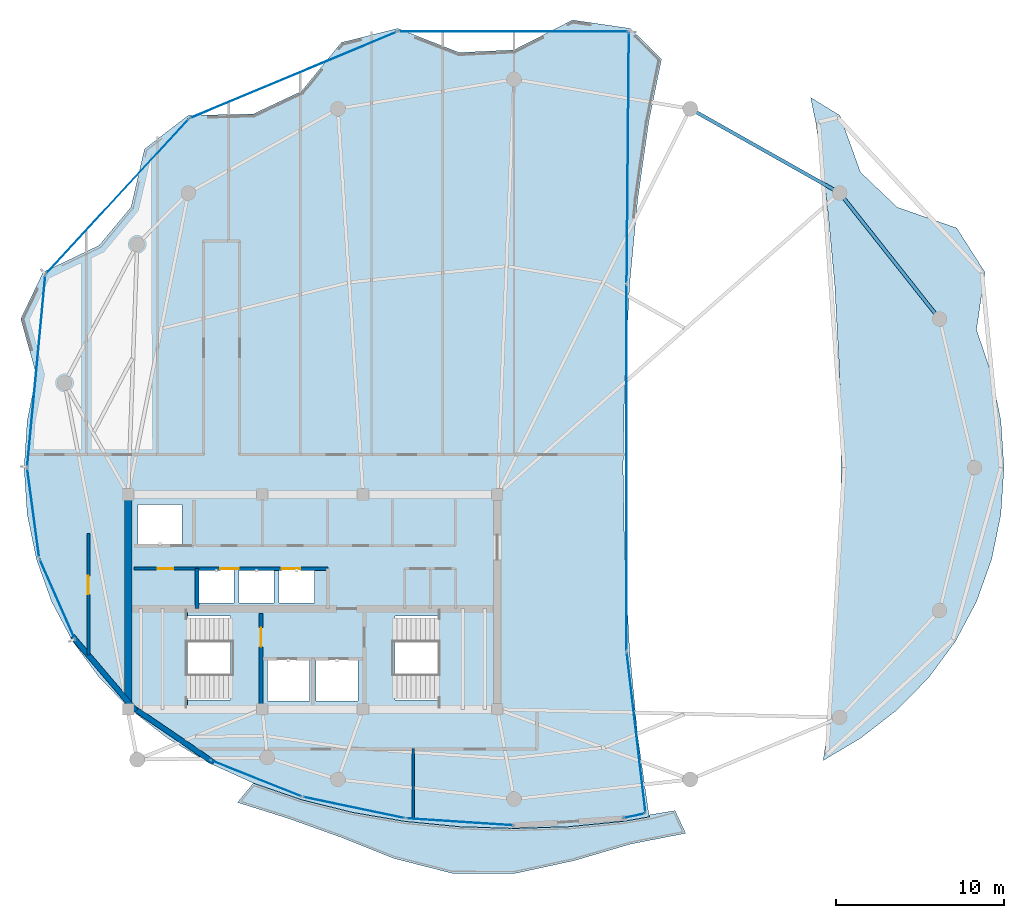
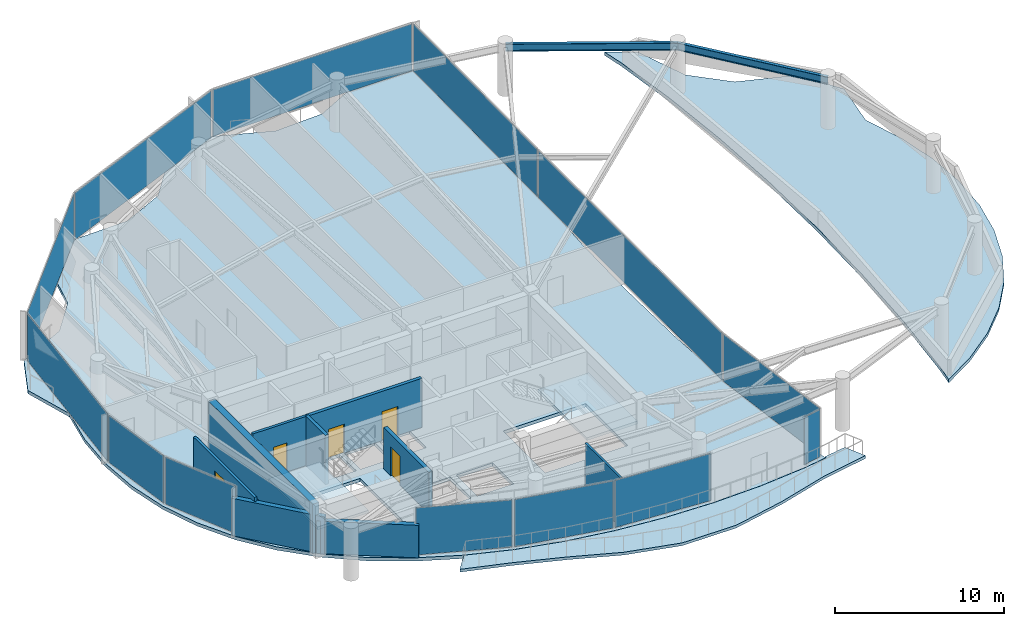
# One storey, part 17 of 22: 13 plates, 9 walls, 5 doors, 5 slabs, 2 beams, 5 openings, 15 elements without a shape of their own.
"""IFC4 building model written with IfcOpenShell, lengths in metres."""

from ifc_helpers import new_model, si_unit, direction, frame, frame_2d, origin, origin_2d, place, context, subcontext, project, spatial, polyline, rectangle, i_section, outline, extrude, material, layer, layer_set, material_profile, profile_set, type_object, element, fill, aggregate, save


model = new_model("IFC4")

# Units and contexts
model_context = context("Model", 3, precision=1e-05, world=origin(), true_north=direction((0.0, 1.0)))
body_context = subcontext(model_context, "Body", "Model", "MODEL_VIEW")
ifc_project = project(units=[si_unit("LENGTHUNIT", "METRE"), si_unit("AREAUNIT", "SQUARE_METRE"), si_unit("VOLUMEUNIT", "CUBIC_METRE"), si_unit("PLANEANGLEUNIT", "RADIAN"), si_unit("MASSUNIT", "GRAM", prefix="KILO")], contexts=[model_context])

# Site, building, storey
site_placement = place(None, origin())
site = spatial("IfcSite", under=ifc_project, at=site_placement, CompositionType="ELEMENT")
building_placement = place(site_placement, origin())
building = spatial("IfcBuilding", under=site, at=building_placement, Name="Kazevale Care Tower and Concert Hall", CompositionType="ELEMENT")
storey_placement = place(building_placement, frame((0.0, 0.0, 273.800048828125)))
storey = spatial("IfcBuildingStorey", under=building, at=storey_placement, Name="L72", CompositionType="ELEMENT", Elevation=273.800048828125)

# Beams
ifc_material_1 = material(Name="Steel ASTM A572 Gr 50", Category="steel")
ifc_material_profile = material_profile(ifc_material_1, i_section(OverallWidth=0.208984375, OverallDepth=0.532958984375, WebThickness=0.01025390625, FlangeThickness=0.015625, at=origin_2d()), Name="W530x92")
ifc_profile_set = profile_set([ifc_material_profile], Name="Steel ASTM A572 Gr 50")
beam_type = type_object("IfcBeamType", Name="Upper Ring Beam W530x92", PredefinedType="BEAM", material=ifc_profile_set)
beam_1_placement = place(storey_placement, frame((70.360107421875, 46.860107421875, 3.29345703125), z_axis=(-0.621008988522, 0.783803442308, 0.0), x_axis=(-0.783803442308, -0.621008988522, 0.0)))
element("IfcBeam", 1, at=beam_1_placement, inside=storey, type_object=beam_type, Name="beam:L72:ring:02", PredefinedType="BEAM", context=body_context, shape_type="SweptSolid", body=[
    extrude(i_section(OverallWidth=0.208984375, OverallDepth=0.532958984375, WebThickness=0.01025390625, FlangeThickness=0.015625, at=origin_2d()), origin(), (0.0, 0.0, 1.0), 9.58154296875),
])
beam_2_placement = place(storey_placement, frame((64.409912109375, 54.3701171875, 3.29345703125), z_axis=(-0.871243170179, 0.490851646035, 0.0), x_axis=(-0.490851646035, -0.871243170179, 0.0)))
element("IfcBeam", 2, at=beam_2_placement, inside=storey, type_object=beam_type, Name="beam:L72:ring:03", PredefinedType="BEAM", context=body_context, shape_type="SweptSolid", body=[
    extrude(i_section(OverallWidth=0.208984375, OverallDepth=0.532958984375, WebThickness=0.01025390625, FlangeThickness=0.015625, at=origin_2d()), origin(), (0.0, 0.0, 1.0), 10.2265625),
])

# Curtain wall, plate
ifc_material_2 = material(Name="Aluminium 6063-T6 and Low-E Glass", Category="aluminium")
ifc_layer_1 = layer(ifc_material_2, 0.179931640625)
ifc_layer_set_1 = layer_set([ifc_layer_1], Name="Aluminium 6063-T6 and Low-E Glass")
curtain_wall_type_1 = type_object("IfcCurtainWallType", Name="Waist & Upper Residential Curtain Wall CW-4", PredefinedType="NOTDEFINED", material=ifc_layer_set_1)
curtain_wall_1_placement = place(storey_placement, origin())
curtain_wall_1 = element("IfcCurtainWall", 3, at=curtain_wall_1_placement, inside=storey, type_object=curtain_wall_type_1, Name="cw:L72:f07", PredefinedType="NOTDEFINED")
ifc_material_3 = material(Name="Low-E Laminated Glass", Category="glass")
ifc_layer_2 = layer(ifc_material_3, 0.030029296875)
ifc_layer_set_2 = layer_set([ifc_layer_2], Name="Low-E Laminated Glass")
plate_type_1 = type_object("IfcPlateType", Name="CW-4 Low-E Glazing Panel 30mm", PredefinedType="CURTAIN_PANEL", material=ifc_layer_set_2)
plate_1_placement = place(storey_placement, frame((17.775390625, 30.175537109375, 0.080078125), z_axis=(0.0, 0.0, 1.0), x_axis=(-0.403598397488, 0.914936245618, 0.0)))
plate_1 = element("IfcPlate", 4, at=plate_1_placement, type_object=plate_type_1, Name="CW-4 panel 1.1", PredefinedType="CURTAIN_PANEL", context=body_context, shape_type="SweptSolid", body=[
    extrude(rectangle(XDim=5.139892578125, YDim=0.030029296875, at=origin_2d()), origin(), (0.0, 0.0, 1.0), 3.39990234375),
])
aggregate(curtain_wall_1, [plate_1])

curtain_wall_2_placement = place(storey_placement, origin())
curtain_wall_2 = element("IfcCurtainWall", 5, at=curtain_wall_2_placement, inside=storey, type_object=curtain_wall_type_1, Name="cw:L72:f08", PredefinedType="NOTDEFINED")
plate_2_placement = place(storey_placement, frame((16.343017578125, 35.300048828125, 0.080078125), z_axis=(0.0, 0.0, 1.0), x_axis=(-0.133245609751, 0.991083047722, 0.0)))
plate_2 = element("IfcPlate", 6, at=plate_2_placement, type_object=plate_type_1, Name="CW-4 panel 1.1", PredefinedType="CURTAIN_PANEL", context=body_context, shape_type="SweptSolid", body=[
    extrude(rectangle(XDim=5.28857421875, YDim=0.030029296875, at=origin_2d()), origin(), (0.0, 0.0, 1.0), 3.39990234375),
])
aggregate(curtain_wall_2, [plate_2])

curtain_wall_3_placement = place(storey_placement, origin())
curtain_wall_3 = element("IfcCurtainWall", 7, at=curtain_wall_3_placement, inside=storey, type_object=curtain_wall_type_1, Name="cw:L72:f09", PredefinedType="NOTDEFINED")
plate_3_placement = place(storey_placement, frame((16.52490234375, 43.757568359375, 0.080078125), z_axis=(0.0, 0.0, 1.0), x_axis=(0.094237879477, 0.995549708489, 0.0)))
plate_3 = element("IfcPlate", 8, at=plate_3_placement, type_object=plate_type_1, Name="CW-4 panel 1.1", PredefinedType="CURTAIN_PANEL", context=body_context, shape_type="SweptSolid", body=[
    extrude(rectangle(XDim=11.406494140625, YDim=0.030029296875, at=origin_2d()), origin(), (0.0, 0.0, 1.0), 3.39990234375),
])
aggregate(curtain_wall_3, [plate_3])

curtain_wall_4_placement = place(storey_placement, origin())
curtain_wall_4 = element("IfcCurtainWall", 9, at=curtain_wall_4_placement, inside=storey, type_object=curtain_wall_type_1, Name="cw:L72:f10", PredefinedType="NOTDEFINED")
plate_4_placement = place(storey_placement, frame((21.35546875, 54.16455078125, 0.080078125), z_axis=(0.0, 0.0, 1.0), x_axis=(0.677738025563, 0.735303453484, 0.0)))
plate_4 = element("IfcPlate", 10, at=plate_4_placement, type_object=plate_type_1, Name="CW-4 panel 1.1", PredefinedType="CURTAIN_PANEL", context=body_context, shape_type="SweptSolid", body=[
    extrude(rectangle(XDim=12.486572265625, YDim=0.030029296875, at=origin_2d()), origin(), (0.0, 0.0, 1.0), 3.39990234375),
])
aggregate(curtain_wall_4, [plate_4])

curtain_wall_5_placement = place(storey_placement, origin())
curtain_wall_5 = element("IfcCurtainWall", 11, at=curtain_wall_5_placement, inside=storey, type_object=curtain_wall_type_1, Name="cw:L72:f11", PredefinedType="NOTDEFINED")
plate_5_placement = place(storey_placement, frame((31.848388671875, 61.40087890625, 0.080078125), z_axis=(0.0, 0.0, 1.0), x_axis=(0.923048324588, 0.384684013802, 0.0)))
plate_5 = element("IfcPlate", 12, at=plate_5_placement, type_object=plate_type_1, Name="CW-4 panel 1.1", PredefinedType="CURTAIN_PANEL", context=body_context, shape_type="SweptSolid", body=[
    extrude(rectangle(XDim=13.2900390625, YDim=0.030029296875, at=origin_2d()), origin(), (0.0, 0.0, 1.0), 3.39990234375),
])
aggregate(curtain_wall_5, [plate_5])

curtain_wall_6_placement = place(storey_placement, origin())
curtain_wall_6 = element("IfcCurtainWall", 13, at=curtain_wall_6_placement, inside=storey, type_object=curtain_wall_type_1, Name="cw:L72:f12", PredefinedType="NOTDEFINED")
plate_6_placement = place(storey_placement, frame((44.951416015625, 63.99755859375, 0.080078125), z_axis=(0.0, 0.0, 1.0), x_axis=(0.999999050959, 0.001377708789, 0.0)))
plate_6 = element("IfcPlate", 14, at=plate_6_placement, type_object=plate_type_1, Name="CW-4 panel 1.1", PredefinedType="CURTAIN_PANEL", context=body_context, shape_type="SweptSolid", body=[
    extrude(rectangle(XDim=13.631103515625, YDim=0.030029296875, at=origin_2d()), origin(), (0.0, 0.0, 1.0), 3.39990234375),
])
aggregate(curtain_wall_6, [plate_6])

curtain_wall_7_placement = place(storey_placement, origin())
curtain_wall_7 = element("IfcCurtainWall", 15, at=curtain_wall_7_placement, inside=storey, type_object=curtain_wall_type_1, Name="cw:L72:f13", PredefinedType="NOTDEFINED")
plate_7_placement = place(storey_placement, frame((51.779541015625, 56.482421875, 0.080078125), z_axis=(0.0, 0.0, 1.0), x_axis=(-0.008970334801, -0.999959765737, 0.0)))
plate_7 = element("IfcPlate", 16, at=plate_7_placement, type_object=plate_type_1, Name="CW-4 panel 1.1", PredefinedType="CURTAIN_PANEL", context=body_context, shape_type="SweptSolid", body=[
    extrude(rectangle(XDim=14.8896484375, YDim=0.030029296875, at=origin_2d()), origin(), (0.0, 0.0, 1.0), 3.39990234375),
])
aggregate(curtain_wall_7, [plate_7])

curtain_wall_8_placement = place(storey_placement, origin())
curtain_wall_8 = element("IfcCurtainWall", 17, at=curtain_wall_8_placement, inside=storey, type_object=curtain_wall_type_1, Name="cw:L72:f14", PredefinedType="NOTDEFINED")
plate_8_placement = place(storey_placement, frame((51.7119140625, 38.0, 0.080078125), z_axis=(0.0, 0.0, 1.0), x_axis=(0.0, -1.0, 0.0)))
plate_8 = element("IfcPlate", 18, at=plate_8_placement, type_object=plate_type_1, Name="CW-4 panel 1.1", PredefinedType="CURTAIN_PANEL", context=body_context, shape_type="SweptSolid", body=[
    extrude(rectangle(XDim=21.756103515625, YDim=0.030029296875, at=origin_2d()), origin(), (0.0, 0.0, 1.0), 3.39990234375),
])
aggregate(curtain_wall_8, [plate_8])

ifc_layer_3 = layer(ifc_material_2, 0.179931640625)
ifc_layer_set_3 = layer_set([ifc_layer_3], Name="Aluminium 6063-T6 and Low-E Glass")
curtain_wall_type_2 = type_object("IfcCurtainWallType", Name="Sheltered Concave Balcony Curtain Wall CW-5", PredefinedType="NOTDEFINED", material=ifc_layer_set_3)
curtain_wall_9_placement = place(storey_placement, origin())
curtain_wall_9 = element("IfcCurtainWall", 19, at=curtain_wall_9_placement, inside=storey, type_object=curtain_wall_type_2, Name="cw:L72:f02", PredefinedType="NOTDEFINED")
ifc_layer_4 = layer(ifc_material_3, 0.02587890625)
ifc_layer_set_4 = layer_set([ifc_layer_4], Name="Low-E Laminated Glass")
plate_type_2 = type_object("IfcPlateType", Name="CW-5 Low-E Glazing Panel 26mm", PredefinedType="CURTAIN_PANEL", material=ifc_layer_set_4)
plate_9_placement = place(storey_placement, frame((41.762939453125, 16.89111328125, 0.0751953125), z_axis=(0.0, 0.0, 1.0), x_axis=(-0.997882281458, 0.065045771206, 0.0)))
plate_9 = element("IfcPlate", 20, at=plate_9_placement, type_object=plate_type_2, Name="CW-5 panel 1.1", PredefinedType="CURTAIN_PANEL", context=body_context, shape_type="SweptSolid", body=[
    extrude(rectangle(XDim=6.337646484375, YDim=0.02587890625, at=origin_2d()), origin(), (0.0, 0.0, 1.0), 3.409912109375),
])
aggregate(curtain_wall_9, [plate_9])

curtain_wall_10_placement = place(storey_placement, origin())
curtain_wall_10 = element("IfcCurtainWall", 21, at=curtain_wall_10_placement, inside=storey, type_object=curtain_wall_type_2, Name="cw:L72:f03", PredefinedType="NOTDEFINED")
plate_10_placement = place(storey_placement, frame((35.4541015625, 17.743896484375, 0.0751953125), z_axis=(0.0, 0.0, 1.0), x_axis=(-0.978852986472, 0.204564979592, 0.0)))
plate_10 = element("IfcPlate", 22, at=plate_10_placement, type_object=plate_type_2, Name="CW-5 panel 1.1", PredefinedType="CURTAIN_PANEL", context=body_context, shape_type="SweptSolid", body=[
    extrude(rectangle(XDim=6.126708984375, YDim=0.02587890625, at=origin_2d()), origin(), (0.0, 0.0, 1.0), 3.409912109375),
])
aggregate(curtain_wall_10, [plate_10])

curtain_wall_11_placement = place(storey_placement, origin())
curtain_wall_11 = element("IfcCurtainWall", 23, at=curtain_wall_11_placement, inside=storey, type_object=curtain_wall_type_2, Name="cw:L72:f04", PredefinedType="NOTDEFINED")
plate_11_placement = place(storey_placement, frame((29.6298828125, 19.48046875, 0.0751953125), z_axis=(0.0, 0.0, 1.0), x_axis=(-0.929208392028, 0.369556171894, 0.0)))
plate_11 = element("IfcPlate", 24, at=plate_11_placement, type_object=plate_type_2, Name="CW-5 panel 1.1", PredefinedType="CURTAIN_PANEL", context=body_context, shape_type="SweptSolid", body=[
    extrude(rectangle(XDim=5.7734375, YDim=0.02587890625, at=origin_2d()), origin(), (0.0, 0.0, 1.0), 3.409912109375),
])
aggregate(curtain_wall_11, [plate_11])

curtain_wall_12_placement = place(storey_placement, origin())
curtain_wall_12 = element("IfcCurtainWall", 25, at=curtain_wall_12_placement, inside=storey, type_object=curtain_wall_type_2, Name="cw:L72:f15", PredefinedType="NOTDEFINED")
plate_12_placement = place(storey_placement, frame((52.277587890625, 22.220947265625, 0.0751953125), z_axis=(0.0, 0.0, 1.0), x_axis=(0.116500580295, -0.993190623592, 0.0)))
plate_12 = element("IfcPlate", 26, at=plate_12_placement, type_object=plate_type_2, Name="CW-5 panel 1.1", PredefinedType="CURTAIN_PANEL", context=body_context, shape_type="SweptSolid", body=[
    extrude(rectangle(XDim=9.55810546875, YDim=0.02587890625, at=origin_2d()), origin(), (0.0, 0.0, 1.0), 3.409912109375),
])
aggregate(curtain_wall_12, [plate_12])

curtain_wall_13_placement = place(storey_placement, origin())
curtain_wall_13 = element("IfcCurtainWall", 27, at=curtain_wall_13_placement, inside=storey, type_object=curtain_wall_type_2, Name="cw:L72:f16", PredefinedType="NOTDEFINED")
plate_13_placement = place(storey_placement, frame((52.158447265625, 17.2509765625, 0.0751953125), z_axis=(0.0, 0.0, 1.0), x_axis=(-0.977118351767, -0.212696324933, 0.0)))
plate_13 = element("IfcPlate", 28, at=plate_13_placement, type_object=plate_type_2, Name="CW-5 panel 1.1", PredefinedType="CURTAIN_PANEL", context=body_context, shape_type="SweptSolid", body=[
    extrude(rectangle(XDim=1.2509765625, YDim=0.02587890625, at=origin_2d()), origin(), (0.0, 0.0, 1.0), 3.409912109375),
])
aggregate(curtain_wall_13, [plate_13])

# Slab
ifc_material_4 = material(Name="Concrete C40", Category="concrete")
ifc_layer_5 = layer(ifc_material_4, 0.199951171875)
ifc_layer_set_5 = layer_set([ifc_layer_5], Name="Concrete C40")
slab_type_1 = type_object("IfcSlabType", Name="Sinusoidal Concave Balcony Slab 200", PredefinedType="USERDEFINED", material=ifc_layer_set_5)
slab_1_placement = place(storey_placement, frame((0.0, 0.0, -0.199951171875)))
element("IfcSlab", 29, at=slab_1_placement, inside=storey, type_object=slab_type_1, Name="slab:L72:bal", ObjectType="BALCONY", PredefinedType="USERDEFINED", context=body_context, shape_type="SweptSolid", body=[
    extrude(outline(polyline([(54.593017578125, 17.56591796875), (55.23046875, 16.208251953125), (51.91748046875, 15.561279296875), (48.5791015625, 14.57958984375), (45.0, 13.807373046875), (41.305908203125, 13.82568359375), (37.822509765625, 14.717529296875), (34.662353515625, 15.979736328125), (31.6025390625, 17.07568359375), (28.51611328125, 18.04931640625), (29.46142578125, 19.193115234375), (29.462890625, 19.192626953125), (32.3291015625, 18.208251953125), (35.35498046875, 17.452392578125), (38.501708984375, 16.918212890625), (41.730224609375, 16.6005859375), (45.0, 16.4951171875), (48.269775390625, 16.6005859375), (51.498291015625, 16.918212890625), (53.075439453125, 17.185791015625), (53.05126953125, 17.305908203125), (54.593017578125, 17.56591796875)])), origin(), (0.0, 0.0, 1.0), 0.199951171875),
])

# Stair, slab
stair_type = type_object("IfcStairType", Name="Exit Stair Assembly ST1-U", PredefinedType="HALF_TURN_STAIR", material=ifc_material_4)
stair_1_placement = place(storey_placement, origin())
stair_1 = element("IfcStair", 30, at=stair_1_placement, inside=storey, type_object=stair_type, Name="stair:L72:ST1", PredefinedType="HALF_TURN_STAIR")
ifc_layer_6 = layer(ifc_material_4, 0.199951171875)
ifc_layer_set_6 = layer_set([ifc_layer_6], Name="Concrete C40")
slab_type_2 = type_object("IfcSlabType", Name="Stair Half-Landing Slab ST1-U", PredefinedType="LANDING", material=ifc_layer_set_6)
slab_2_placement = place(storey_placement, frame((0.0, 0.0, 1.699951171875)))
slab_2 = element("IfcSlab", 31, at=slab_2_placement, type_object=slab_type_2, Name="ST1-U landing 1", PredefinedType="LANDING", context=body_context, shape_type="SweptSolid", body=[
    extrude(outline(polyline([(22.050048828125, 23.699951171875), (25.530029296875, 23.699951171875), (25.530029296875, 29.5), (22.050048828125, 29.5), (22.050048828125, 23.699951171875)])), origin(), (0.0, 0.0, 1.0), 0.199951171875),
])
aggregate(stair_1, [slab_2])

stair_2_placement = place(storey_placement, origin())
stair_2 = element("IfcStair", 32, at=stair_2_placement, inside=storey, type_object=stair_type, Name="stair:L72:ST2", PredefinedType="HALF_TURN_STAIR")
slab_3_placement = place(storey_placement, frame((0.0, 0.0, 1.699951171875)))
slab_3 = element("IfcSlab", 33, at=slab_3_placement, type_object=slab_type_2, Name="ST1-U landing 1", PredefinedType="LANDING", context=body_context, shape_type="SweptSolid", body=[
    extrude(outline(polyline([(40.469970703125, 23.699951171875), (43.949951171875, 23.699951171875), (43.949951171875, 29.5), (40.469970703125, 29.5), (40.469970703125, 23.699951171875)])), origin(), (0.0, 0.0, 1.0), 0.199951171875),
])
aggregate(stair_2, [slab_3])

# Slabs
ifc_layer_7 = layer(ifc_material_4, 0.239990234375)
ifc_layer_set_7 = layer_set([ifc_layer_7], Name="Concrete C40")
slab_type_3 = type_object("IfcSlabType", Name="Tower Typical Floor Slab 240", PredefinedType="FLOOR", material=ifc_layer_set_7)
slab_4_placement = place(storey_placement, frame((0.0, 0.0, -0.239990234375)))
element("IfcSlab", 34, at=slab_4_placement, inside=storey, type_object=slab_type_3, Name="slab:L72:tw:1", PredefinedType="FLOOR", context=body_context, shape_type="SweptSolid", body=[
    extrude(outline(polyline([(51.49755859375, 16.92333984375), (48.269287109375, 16.60546875), (45.0, 16.5), (41.730712890625, 16.60546875), (38.50244140625, 16.92333984375), (35.35595703125, 17.457275390625), (32.33056640625, 18.212890625), (29.464599609375, 19.197265625), (26.794189453125, 20.415771484375), (24.3525390625, 21.873046875), (22.17041015625, 23.569091796875), (20.275634765625, 25.5), (18.691650390625, 27.654541015625), (17.438720703125, 30.01416015625), (16.531982421875, 32.551513671875), (15.983642578125, 35.229736328125), (15.800048828125, 38.0), (15.983642578125, 40.787841796875), (16.531982421875, 43.540771484375), (15.597900390625, 46.867919921875), (16.934814453125, 49.64990234375), (20.275634765625, 51.24755859375), (22.17041015625, 53.52490234375), (22.9736328125, 56.98583984375), (25.578369140625, 58.9921875), (29.464599609375, 59.08349609375), (32.33056640625, 60.43408203125), (34.7119140625, 63.34326171875), (38.068603515625, 64.1767578125), (41.730712890625, 62.743408203125), (45.0, 62.89990234375), (48.48779296875, 64.68115234375), (51.931396484375, 64.1767578125), (53.7880859375, 62.3466796875), (53.020751953125, 58.569091796875), (52.370849609375, 54.0), (51.89208984375, 48.944580078125), (51.5986328125, 43.556640625), (51.5, 38.0), (51.5986328125, 32.443359375), (51.89208984375, 27.055419921875), (52.370849609375, 22.0), (53.020751953125, 17.430908203125), (53.069580078125, 17.18994140625), (51.49755859375, 16.92333984375)]), holes=[polyline([(22.449951171875, 24.14990234375), (28.110107421875, 24.14990234375), (28.110107421875, 29.14990234375), (22.449951171875, 29.14990234375), (22.449951171875, 24.14990234375)]), polyline([(37.889892578125, 24.14990234375), (43.550048828125, 24.14990234375), (43.550048828125, 29.14990234375), (37.889892578125, 29.14990234375), (37.889892578125, 24.14990234375)]), polyline([(30.300048828125, 24.10009765625), (32.800048828125, 24.10009765625), (32.800048828125, 26.60009765625), (30.300048828125, 26.60009765625), (30.300048828125, 24.10009765625)]), polyline([(33.199951171875, 24.10009765625), (35.699951171875, 24.10009765625), (35.699951171875, 26.60009765625), (33.199951171875, 26.60009765625), (33.199951171875, 24.10009765625)]), polyline([(22.60009765625, 33.39990234375), (25.199951171875, 33.39990234375), (25.199951171875, 35.800048828125), (22.60009765625, 35.800048828125), (22.60009765625, 33.39990234375)]), polyline([(26.199951171875, 29.949951171875), (28.300048828125, 29.949951171875), (28.300048828125, 31.949951171875), (26.199951171875, 31.949951171875), (26.199951171875, 29.949951171875)]), polyline([(28.60009765625, 29.949951171875), (30.699951171875, 29.949951171875), (30.699951171875, 31.949951171875), (28.60009765625, 31.949951171875), (28.60009765625, 29.949951171875)]), polyline([(31.0, 29.949951171875), (33.10009765625, 29.949951171875), (33.10009765625, 31.949951171875), (31.0, 31.949951171875), (31.0, 29.949951171875)])]), origin(), (0.0, 0.0, 1.0), 0.239990234375),
])
slab_5_placement = place(storey_placement, frame((0.0, 0.0, -0.239990234375)))
element("IfcSlab", 35, at=slab_5_placement, inside=storey, type_object=slab_type_3, Name="slab:L72:tw:2", PredefinedType="FLOOR", context=body_context, shape_type="SweptSolid", body=[
    extrude(outline(polyline([(64.421630859375, 58.9921875), (65.6474609375, 55.60693359375), (67.82958984375, 53.52490234375), (71.37548828125, 52.28515625), (73.065185546875, 49.64990234375), (72.561279296875, 46.223876953125), (73.468017578125, 43.540771484375), (74.016357421875, 40.787841796875), (74.199951171875, 38.0), (74.016357421875, 35.229736328125), (73.468017578125, 32.551513671875), (72.561279296875, 30.01416015625), (71.308349609375, 27.654541015625), (69.724365234375, 25.5), (67.82958984375, 23.569091796875), (65.6474609375, 21.873046875), (63.422119140625, 20.544921875), (63.629150390625, 22.0), (64.10791015625, 27.055419921875), (64.4013671875, 32.443359375), (64.5, 38.0), (64.4013671875, 43.556640625), (64.10791015625, 48.944580078125), (63.629150390625, 54.0), (62.979248046875, 58.569091796875), (62.676513671875, 60.0595703125), (64.421630859375, 58.9921875)])), origin(), (0.0, 0.0, 1.0), 0.239990234375),
])

# Walls
ifc_material_5 = material(Name="Acoustic Gypsum on Steel Stud", Category="steel")
ifc_layer_8 = layer(ifc_material_5, 0.139892578125)
ifc_layer_set_8 = layer_set([ifc_layer_8], Name="Acoustic Gypsum on Steel Stud")
wall_type_1 = type_object("IfcWallType", Name="Acoustic Care & Suite Partition 140", PredefinedType="PARTITIONING", material=ifc_layer_set_8)
wall_1_placement = place(storey_placement, frame((39.0, 21.2548828125, 0.0), z_axis=(0.0, 0.0, 1.0), x_axis=(0.0, -1.0, 0.0)))
element("IfcWall", 36, at=wall_1_placement, inside=storey, type_object=wall_type_1, Name="wall:L72:auto_024", PredefinedType="PARTITIONING", context=body_context, shape_type="SweptSolid", body=[
    extrude(rectangle(XDim=4.173828125, YDim=0.139892578125, at=frame_2d((2.0869140625, 0.0))), origin(), (0.0, 0.0, 1.0), 3.56005859375),
])
ifc_material_6 = material(Name="Concrete C50", Category="concrete")
ifc_layer_9 = layer(ifc_material_6, 0.449951171875)
ifc_layer_set_9 = layer_set([ifc_layer_9], Name="Concrete C50")
wall_type_2 = type_object("IfcWallType", Name="Core Shear Wall 450 C50", PredefinedType="SHEAR", material=ifc_layer_set_9)
wall_2_placement = place(storey_placement, frame((22.0, 23.824951171875, 0.0), z_axis=(0.0, 0.0, 1.0), x_axis=(0.0, 1.0, 0.0)))
element("IfcWall", 37, at=wall_2_placement, inside=storey, type_object=wall_type_2, Name="wall:L72:core:W", PredefinedType="SHEAR", context=body_context, shape_type="SweptSolid", body=[
    extrude(rectangle(XDim=12.35009765625, YDim=0.449951171875, at=frame_2d((6.175048828125, 0.0))), origin(), (0.0, 0.0, 1.0), 3.56005859375),
])
ifc_layer_10 = layer(ifc_material_4, 0.219970703125)
ifc_layer_set_10 = layer_set([ifc_layer_10], Name="Concrete C40")
wall_type_3 = type_object("IfcWallType", Name="Elevator Hoistway Shaft Wall 220", PredefinedType="SOLIDWALL", material=ifc_layer_set_10)
wall_3_placement = place(storey_placement, frame((26.10009765625, 29.6201171875, 0.0), z_axis=(0.0, 0.0, 1.0), x_axis=(0.0, 1.0, 0.0)))
element("IfcWall", 38, at=wall_3_placement, inside=storey, type_object=wall_type_3, Name="wall:L72:c_ph_w", PredefinedType="SOLIDWALL", context=body_context, shape_type="SweptSolid", body=[
    extrude(rectangle(XDim=2.35986328125, YDim=0.219970703125, at=frame_2d((1.179931640625, 0.0))), origin(), (0.0, 0.0, 1.0), 3.56005859375),
])

# Wall, openings, doors
wall_4_placement = place(storey_placement, frame((26.10009765625, 31.97998046875, 0.0), z_axis=(0.0, 0.0, 1.0), x_axis=(1.0, 0.0, 0.0)))
wall_4 = element("IfcWall", 39, at=wall_4_placement, inside=storey, type_object=wall_type_3, Name="wall:L72:c_ph_n", PredefinedType="SOLIDWALL", context=body_context, shape_type="SweptSolid", body=[
    extrude(rectangle(XDim=7.7998046875, YDim=0.219970703125, at=frame_2d((3.89990234375, 0.0))), origin(), (0.0, 0.0, 1.0), 3.56005859375),
])
opening_1_placement = place(wall_4_placement, frame((1.39990234375, 0.0, 0.0)))
opening_1 = element("IfcOpeningElement", 40, at=opening_1_placement, cuts=wall_4, Name="Opening LD-PAX", PredefinedType="OPENING", context=body_context, shape_type="SweptSolid", body=[
    extrude(rectangle(XDim=1.10009765625, YDim=2.10009765625, at=frame_2d((0.550048828125, 1.050048828125))), frame((0.0, 0.119873046875, 0.0), z_axis=(0.0, -1.0, 0.0), x_axis=(1.0, 0.0, 0.0)), (0.0, 0.0, 1.0), 0.239990234375),
])
opening_2_placement = place(wall_4_placement, frame((5.06591796875, 0.0, 0.0)))
opening_2 = element("IfcOpeningElement", 41, at=opening_2_placement, cuts=wall_4, Name="Opening LD-PAX", PredefinedType="OPENING", context=body_context, shape_type="SweptSolid", body=[
    extrude(rectangle(XDim=1.10009765625, YDim=2.10009765625, at=frame_2d((0.550048828125, 1.050048828125))), frame((0.0, 0.119873046875, 0.0), z_axis=(0.0, -1.0, 0.0), x_axis=(1.0, 0.0, 0.0)), (0.0, 0.0, 1.0), 0.239990234375),
])
ifc_material_7 = material(Name="Stainless Steel 316", Category="steel")
door_type_1 = type_object("IfcDoorType", Name="Passenger Lift Sliding Landing Door 1100x2100", OperationType="NOTDEFINED", PredefinedType="DOOR", material=ifc_material_7)
door_1_placement = place(opening_1_placement, origin())
door_1 = element("IfcDoor", 42, at=door_1_placement, inside=storey, type_object=door_type_1, Name="door:L72:ld_ph1", OperationType="SLIDING_TO_LEFT", OverallHeight=2.10009765625, OverallWidth=1.10009765625, PredefinedType="DOOR", context=body_context, shape_type="SweptSolid", body=[
    extrude(rectangle(XDim=1.10009765625, YDim=2.10009765625, at=frame_2d((0.550048828125, 1.050048828125))), frame((0.0, 0.02490234375, 0.0), z_axis=(0.0, -1.0, 0.0), x_axis=(1.0, 0.0, 0.0)), (0.0, 0.0, 1.0), 0.050048828125),
])
fill(opening_1, door_1)
door_2_placement = place(opening_2_placement, origin())
door_2 = element("IfcDoor", 43, at=door_2_placement, inside=storey, type_object=door_type_1, Name="door:L72:ld_ph2", OperationType="SLIDING_TO_RIGHT", OverallHeight=2.10009765625, OverallWidth=1.10009765625, PredefinedType="DOOR", context=body_context, shape_type="SweptSolid", body=[
    extrude(rectangle(XDim=1.10009765625, YDim=2.10009765625, at=frame_2d((0.550048828125, 1.050048828125))), frame((0.0, 0.02490234375, 0.0), z_axis=(0.0, -1.0, 0.0), x_axis=(1.0, 0.0, 0.0)), (0.0, 0.0, 1.0), 0.050048828125),
])
fill(opening_2, door_2)

# Wall, opening, door
ifc_material_8 = material(Name="Concrete C40 and Acoustic Gypsum", Category="concrete")
ifc_layer_11 = layer(ifc_material_8, 0.179931640625)
ifc_layer_set_11 = layer_set([ifc_layer_11], Name="Concrete C40 and Acoustic Gypsum")
wall_type_4 = type_object("IfcWallType", Name="Fire-Rated Corridor & Party Wall 180", PredefinedType="PARTITIONING", material=ifc_layer_set_11)
wall_5_placement = place(storey_placement, frame((22.35009765625, 31.97998046875, 0.0), z_axis=(0.0, 0.0, 1.0), x_axis=(1.0, 0.0, 0.0)))
wall_5 = element("IfcWall", 44, at=wall_5_placement, inside=storey, type_object=wall_type_4, Name="wall:L72:ka_wn1", PredefinedType="PARTITIONING", context=body_context, shape_type="SweptSolid", body=[
    extrude(rectangle(XDim=3.75, YDim=0.179931640625, at=frame_2d((1.875, 0.0))), origin(), (0.0, 0.0, 1.0), 3.56005859375),
])
opening_3_placement = place(wall_5_placement, frame((1.425048828125, 0.0, 0.0)))
opening_3 = element("IfcOpeningElement", 45, at=opening_3_placement, cuts=wall_5, Name="Opening ID-900", PredefinedType="OPENING", context=body_context, shape_type="SweptSolid", body=[
    extrude(rectangle(XDim=0.919921875, YDim=2.10009765625, at=frame_2d((0.4599609375, 1.050048828125))), frame((0.0, 0.099853515625, 0.0), z_axis=(0.0, -1.0, 0.0), x_axis=(1.0, 0.0, 0.0)), (0.0, 0.0, 1.0), 0.199951171875),
])
ifc_material_9 = material(Name="Oak Timber Fire Leaf", Category="wood")
door_type_2 = type_object("IfcDoorType", Name="Bathroom & Service Door 920x2100", OperationType="NOTDEFINED", PredefinedType="DOOR", material=ifc_material_9)
door_3_placement = place(opening_3_placement, origin())
door_3 = element("IfcDoor", 46, at=door_3_placement, inside=storey, type_object=door_type_2, Name="door:L72:d_kaw", OperationType="SINGLE_SWING_LEFT", OverallHeight=2.10009765625, OverallWidth=0.919921875, PredefinedType="DOOR", context=body_context, shape_type="SweptSolid", body=[
    extrude(rectangle(XDim=0.919921875, YDim=2.10009765625, at=frame_2d((0.4599609375, 1.050048828125))), frame((0.0, 0.02490234375, 0.0), z_axis=(0.0, -1.0, 0.0), x_axis=(1.0, 0.0, 0.0)), (0.0, 0.0, 1.0), 0.050048828125),
])
fill(opening_3, door_3)

wall_6_placement = place(storey_placement, frame((19.625, 26.8447265625, 0.0), z_axis=(0.0, 0.0, 1.0), x_axis=(0.0, 1.0, 0.0)))
wall_6 = element("IfcWall", 47, at=wall_6_placement, inside=storey, type_object=wall_type_4, Name="wall:L72:auto_016", PredefinedType="PARTITIONING", context=body_context, shape_type="SweptSolid", body=[
    extrude(rectangle(XDim=7.22021484375, YDim=0.179931640625, at=frame_2d((3.610107421875, 0.0))), origin(), (0.0, 0.0, 1.0), 3.016845703125),
])
opening_4_placement = place(wall_6_placement, frame((3.60498046875, 0.0, 0.0)))
opening_4 = element("IfcOpeningElement", 48, at=opening_4_placement, cuts=wall_6, Name="Opening ID-1100", PredefinedType="OPENING", context=body_context, shape_type="SweptSolid", body=[
    extrude(rectangle(XDim=1.10009765625, YDim=2.10009765625, at=frame_2d((0.550048828125, 1.050048828125))), frame((0.0, 0.099853515625, 0.0), z_axis=(0.0, -1.0, 0.0), x_axis=(1.0, 0.0, 0.0)), (0.0, 0.0, 1.0), 0.199951171875),
])
door_type_3 = type_object("IfcDoorType", Name="Care Bedroom Accessible Door 1100x2100", OperationType="NOTDEFINED", PredefinedType="DOOR", material=ifc_material_9)
door_4_placement = place(opening_4_placement, origin())
door_4 = element("IfcDoor", 49, at=door_4_placement, inside=storey, type_object=door_type_3, Name="door:L72:ad_016", OperationType="SINGLE_SWING_LEFT", OverallHeight=2.10009765625, OverallWidth=1.10009765625, PredefinedType="DOOR", context=body_context, shape_type="SweptSolid", body=[
    extrude(rectangle(XDim=1.10009765625, YDim=2.10009765625, at=frame_2d((0.550048828125, 1.050048828125))), frame((0.0, 0.02490234375, 0.0), z_axis=(0.0, -1.0, 0.0), x_axis=(1.0, 0.0, 0.0)), (0.0, 0.0, 1.0), 0.050048828125),
])
fill(opening_4, door_4)

ifc_layer_12 = layer(ifc_material_4, 0.25)
ifc_layer_set_12 = layer_set([ifc_layer_12], Name="Concrete C40")
wall_type_5 = type_object("IfcWallType", Name="Pressurized Stair Shaft Wall 250", PredefinedType="SOLIDWALL", material=ifc_layer_set_12)
wall_7_placement = place(storey_placement, frame((29.919921875, 23.89990234375, 0.0), z_axis=(0.0, 0.0, 1.0), x_axis=(0.0, 1.0, 0.0)))
wall_7 = element("IfcWall", 50, at=wall_7_placement, inside=storey, type_object=wall_type_5, Name="wall:L72:c_st1_e", PredefinedType="SOLIDWALL", context=body_context, shape_type="SweptSolid", body=[
    extrude(rectangle(XDim=5.400146484375, YDim=0.25, at=frame_2d((2.7001953125, 0.0))), origin(), (0.0, 0.0, 1.0), 3.005859375),
])
opening_5_placement = place(wall_7_placement, frame((3.4208984375, 0.0, 0.0)))
opening_5 = element("IfcOpeningElement", 51, at=opening_5_placement, cuts=wall_7, Name="Opening FD-90", PredefinedType="OPENING", context=body_context, shape_type="SweptSolid", body=[
    extrude(rectangle(XDim=1.14990234375, YDim=2.10009765625, at=frame_2d((0.574951171875, 1.050048828125))), frame((0.0, 0.135009765625, 0.0), z_axis=(0.0, -1.0, 0.0), x_axis=(1.0, 0.0, 0.0)), (0.0, 0.0, 1.0), 0.27001953125),
])
door_type_4 = type_object("IfcDoorType", Name="Pressurized Stair & Lobby Fire Door 1150x2100", OperationType="NOTDEFINED", PredefinedType="DOOR", material=ifc_material_1)
door_5_placement = place(opening_5_placement, origin())
door_5 = element("IfcDoor", 52, at=door_5_placement, inside=storey, type_object=door_type_4, Name="door:L72:st1", OperationType="SINGLE_SWING_RIGHT", OverallHeight=2.10009765625, OverallWidth=1.14990234375, PredefinedType="DOOR", context=body_context, shape_type="SweptSolid", body=[
    extrude(rectangle(XDim=1.14990234375, YDim=2.10009765625, at=frame_2d((0.574951171875, 1.050048828125))), frame((0.0, 0.02490234375, 0.0), z_axis=(0.0, -1.0, 0.0), x_axis=(1.0, 0.0, 0.0)), (0.0, 0.0, 1.0), 0.050048828125),
])
fill(opening_5, door_5)

# Walls
ifc_material_10 = material(Name="Concrete C40 with Honed Limestone Cladding", Category="masonry")
ifc_layer_13 = layer(ifc_material_10, 0.320068359375)
ifc_layer_set_13 = layer_set([ifc_layer_13], Name="Concrete C40 with Honed Limestone Cladding")
wall_type_6 = type_object("IfcWallType", Name="Tower Honed Limestone Spandrel Wall 320", PredefinedType="STANDARD", material=ifc_layer_set_13)
wall_8_placement = place(storey_placement, frame((27.093017578125, 20.427978515625, 0.0), z_axis=(0.0, 0.0, 1.0), x_axis=(-0.826047009588, 0.563601222454, 0.0)))
element("IfcWall", 53, at=wall_8_placement, inside=storey, type_object=wall_type_6, Name="wall:cw:L72:f05", PredefinedType="STANDARD", context=body_context, shape_type="SweptSolid", body=[
    extrude(rectangle(XDim=6.07373046875, YDim=0.320068359375, at=frame_2d((3.036865234375, 0.0))), origin(), (0.0, 0.0, 1.0), 2.349853515625),
])
wall_9_placement = place(storey_placement, frame((22.4599609375, 23.506103515625, 0.0), z_axis=(0.0, 0.0, 1.0), x_axis=(-0.648393724369, 0.761305180725, 0.0)))
element("IfcWall", 54, at=wall_9_placement, inside=storey, type_object=wall_type_6, Name="wall:cw:L72:f06", PredefinedType="STANDARD", context=body_context, shape_type="SweptSolid", body=[
    extrude(rectangle(XDim=5.8359375, YDim=0.320068359375, at=frame_2d((2.91796875, 0.0))), origin(), (0.0, 0.0, 1.0), 2.699951171875),
])

save(model, "model.ifc")
